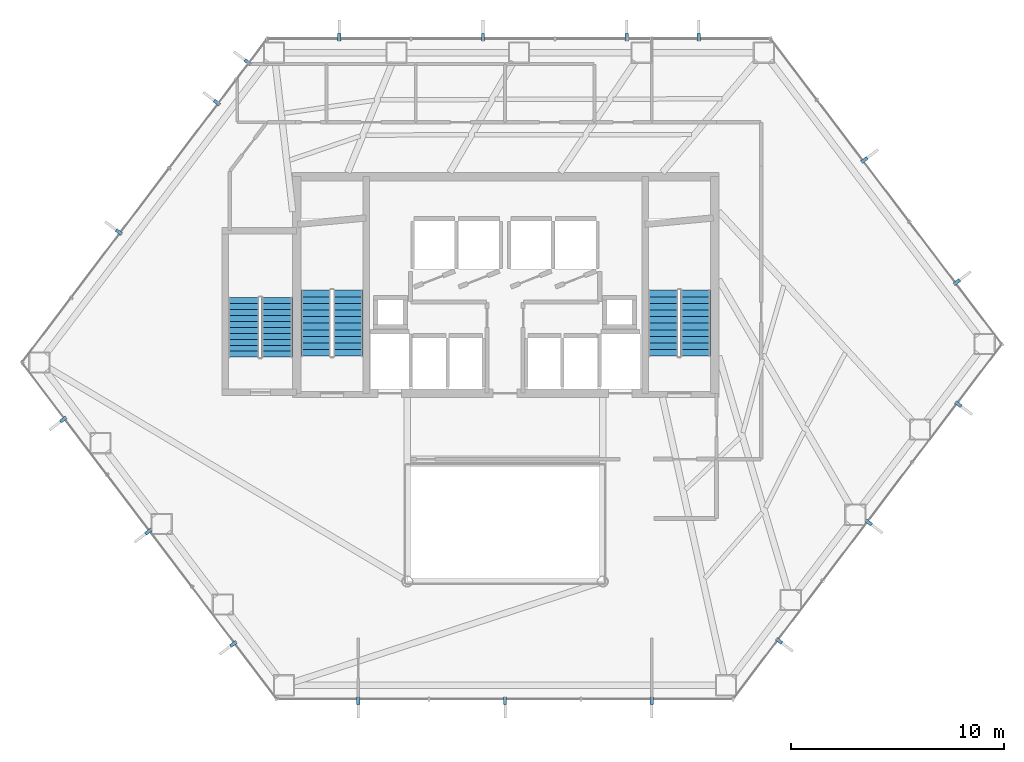
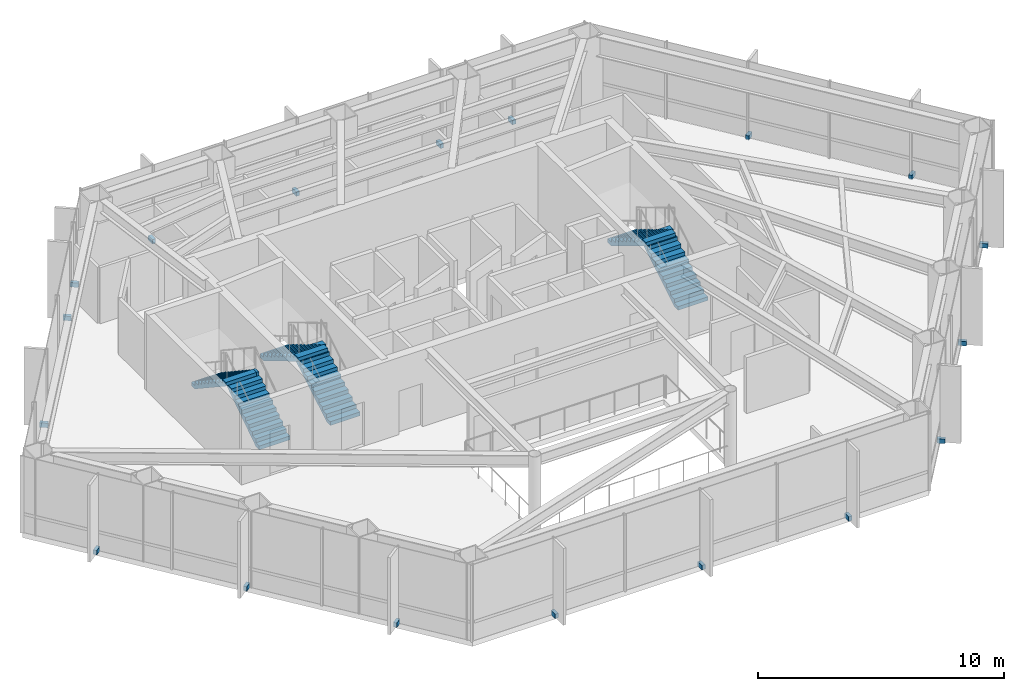
# One storey, part 24 of 25: 18 discrete accessories, 6 stair flights, 3 elements without a shape of their own.
"""IFC4 building model written with IfcOpenShell, lengths in metres."""

from ifc_helpers import new_model, si_unit, direction, frame, origin, origin_2d, place, context, subcontext, project, spatial, polyline, rectangle, outline, extrude, material, type_object, element, aggregate, save


model = new_model("IFC4")

# Units and contexts
model_context = context("Model", 3, precision=1e-05, world=origin(), true_north=direction((0.0, 1.0)))
body_context = subcontext(model_context, "Body", "Model", "MODEL_VIEW")
ifc_project = project(units=[si_unit("LENGTHUNIT", "METRE"), si_unit("AREAUNIT", "SQUARE_METRE"), si_unit("VOLUMEUNIT", "CUBIC_METRE"), si_unit("PLANEANGLEUNIT", "RADIAN"), si_unit("MASSUNIT", "GRAM", prefix="KILO")], contexts=[model_context])

# Site, building, storey
site_placement = place(None, origin())
site = spatial("IfcSite", under=ifc_project, at=site_placement, CompositionType="ELEMENT")
building_placement = place(site_placement, origin())
building = spatial("IfcBuilding", under=site, at=building_placement, Name="Zarrinselat Tower", CompositionType="ELEMENT")
storey_placement = place(building_placement, frame((0.0, 0.0, 56.10009765625)))
storey = spatial("IfcBuildingStorey", under=building, at=storey_placement, Name="L13", CompositionType="ELEMENT", Elevation=56.10009765625)

# Stair, stair flights
ifc_material_1 = material(Name="Concrete C40/50", Category="concrete")
stair_type_1 = type_object("IfcStairType", Name="STR-CORE-145", PredefinedType="HALF_TURN_STAIR", material=ifc_material_1)
stair_1_placement = place(storey_placement, origin())
stair_1 = element("IfcStair", 1, at=stair_1_placement, inside=storey, type_object=stair_type_1, Name="L13 Podium & Mid-Tower Exit Stair 3", PredefinedType="HALF_TURN_STAIR")
ifc_material_2 = material(Name="Concrete C40/50", Category="concrete")
stair_flight_type_1 = type_object("IfcStairFlightType", Name="STR-FLT-145", PredefinedType="STRAIGHT", material=ifc_material_2)
stair_flight_1_placement = place(storey_placement, frame((27.675048828125, 34.949951171875, 0.0), z_axis=(0.0, 0.0, 1.0), x_axis=(0.0, 1.0, 0.0)))
stair_flight_1 = element("IfcStairFlight", 2, at=stair_flight_1_placement, type_object=stair_flight_type_1, Name="ST-3 flight 1", NumberOfRisers=11, NumberOfTreads=10, PredefinedType="STRAIGHT", RiserHeight=0.185454545, TreadLength=0.28, context=body_context, shape_type="SweptSolid", body=[
    extrude(outline(polyline([(0.0, 0.0), (0.0, 0.185546875), (0.280029296875, 0.185546875), (0.280029296875, 0.370849609375), (0.56005859375, 0.370849609375), (0.56005859375, 0.556396484375), (0.840087890625, 0.556396484375), (0.840087890625, 0.74169921875), (1.1201171875, 0.74169921875), (1.1201171875, 0.92724609375), (1.39990234375, 0.92724609375), (1.39990234375, 1.11279296875), (1.679931640625, 1.11279296875), (1.679931640625, 1.298095703125), (1.9599609375, 1.298095703125), (1.9599609375, 1.483642578125), (2.239990234375, 1.483642578125), (2.239990234375, 1.669189453125), (2.52001953125, 1.669189453125), (2.52001953125, 1.8544921875), (2.800048828125, 1.8544921875), (2.800048828125, 2.0400390625), (2.800048828125, 1.6748046875), (0.271484375, 0.0), (0.0, 0.0)])), frame((0.0, 0.72509765625, 0.0), z_axis=(0.0, -1.0, 0.0), x_axis=(1.0, 0.0, 0.0)), (0.0, 0.0, 1.0), 1.449951171875),
])
stair_flight_2_placement = place(storey_placement, frame((26.10498046875, 37.75, 2.039794921875), z_axis=(0.0, 0.0, 1.0), x_axis=(0.0, -1.0, 0.0)))
stair_flight_2 = element("IfcStairFlight", 3, at=stair_flight_2_placement, type_object=stair_flight_type_1, Name="ST-3 flight 2", NumberOfRisers=11, NumberOfTreads=10, PredefinedType="STRAIGHT", RiserHeight=0.185454545, TreadLength=0.28, context=body_context, shape_type="SweptSolid", body=[
    extrude(outline(polyline([(0.0, 0.0), (0.0, 0.185546875), (0.280029296875, 0.185546875), (0.280029296875, 0.370849609375), (0.56005859375, 0.370849609375), (0.56005859375, 0.556396484375), (0.840087890625, 0.556396484375), (0.840087890625, 0.74169921875), (1.1201171875, 0.74169921875), (1.1201171875, 0.92724609375), (1.39990234375, 0.92724609375), (1.39990234375, 1.11279296875), (1.679931640625, 1.11279296875), (1.679931640625, 1.298095703125), (1.9599609375, 1.298095703125), (1.9599609375, 1.483642578125), (2.239990234375, 1.483642578125), (2.239990234375, 1.669189453125), (2.52001953125, 1.669189453125), (2.52001953125, 1.8544921875), (2.800048828125, 1.8544921875), (2.800048828125, 2.0400390625), (2.800048828125, 1.6748046875), (0.271484375, 0.0), (0.0, 0.0)])), frame((0.0, 0.72509765625, 0.0), z_axis=(0.0, -1.0, 0.0), x_axis=(1.0, 0.0, 0.0)), (0.0, 0.0, 1.0), 1.449951171875),
])
aggregate(stair_1, [stair_flight_1, stair_flight_2])

ifc_material_3 = material(Name="Concrete C40/50", Category="concrete")
stair_type_2 = type_object("IfcStairType", Name="STR-CORE-155", PredefinedType="HALF_TURN_STAIR", material=ifc_material_3)
stair_2_placement = place(storey_placement, origin())
stair_2 = element("IfcStair", 4, at=stair_2_placement, inside=storey, type_object=stair_type_2, Name="L13 Core Exit Stair 1", PredefinedType="HALF_TURN_STAIR")
ifc_material_4 = material(Name="Concrete C40/50", Category="concrete")
stair_flight_type_2 = type_object("IfcStairFlightType", Name="STR-FLT-155", PredefinedType="STRAIGHT", material=ifc_material_4)
stair_flight_3_placement = place(storey_placement, frame((31.02001953125, 35.0, 0.0), z_axis=(0.0, 0.0, 1.0), x_axis=(0.0, 1.0, 0.0)))
stair_flight_3 = element("IfcStairFlight", 5, at=stair_flight_3_placement, type_object=stair_flight_type_2, Name="ST-1 flight 1", NumberOfRisers=11, NumberOfTreads=10, PredefinedType="STRAIGHT", RiserHeight=0.185454545, TreadLength=0.31, context=body_context, shape_type="SweptSolid", body=[
    extrude(outline(polyline([(0.0, 0.0), (0.0, 0.185546875), (0.31005859375, 0.185546875), (0.31005859375, 0.370849609375), (0.6201171875, 0.370849609375), (0.6201171875, 0.556396484375), (0.929931640625, 0.556396484375), (0.929931640625, 0.74169921875), (1.239990234375, 0.74169921875), (1.239990234375, 0.92724609375), (1.550048828125, 0.92724609375), (1.550048828125, 1.11279296875), (1.860107421875, 1.11279296875), (1.860107421875, 1.298095703125), (2.169921875, 1.298095703125), (2.169921875, 1.483642578125), (2.47998046875, 1.483642578125), (2.47998046875, 1.669189453125), (2.7900390625, 1.669189453125), (2.7900390625, 1.8544921875), (3.10009765625, 1.8544921875), (3.10009765625, 2.0400390625), (3.10009765625, 1.679931640625), (0.2919921875, 0.0), (0.0, 0.0)])), frame((0.0, 0.699951171875, 0.0), z_axis=(0.0, -1.0, 0.0), x_axis=(1.0, 0.0, 0.0)), (0.0, 0.0, 1.0), 1.39990234375),
])
stair_flight_4_placement = place(storey_placement, frame((29.5, 38.10009765625, 2.039794921875), z_axis=(0.0, 0.0, 1.0), x_axis=(0.0, -1.0, 0.0)))
stair_flight_4 = element("IfcStairFlight", 6, at=stair_flight_4_placement, type_object=stair_flight_type_2, Name="ST-1 flight 2", NumberOfRisers=11, NumberOfTreads=10, PredefinedType="STRAIGHT", RiserHeight=0.185454545, TreadLength=0.31, context=body_context, shape_type="SweptSolid", body=[
    extrude(outline(polyline([(0.0, 0.0), (0.0, 0.185546875), (0.31005859375, 0.185546875), (0.31005859375, 0.370849609375), (0.6201171875, 0.370849609375), (0.6201171875, 0.556396484375), (0.929931640625, 0.556396484375), (0.929931640625, 0.74169921875), (1.239990234375, 0.74169921875), (1.239990234375, 0.92724609375), (1.550048828125, 0.92724609375), (1.550048828125, 1.11279296875), (1.860107421875, 1.11279296875), (1.860107421875, 1.298095703125), (2.169921875, 1.298095703125), (2.169921875, 1.483642578125), (2.47998046875, 1.483642578125), (2.47998046875, 1.669189453125), (2.7900390625, 1.669189453125), (2.7900390625, 1.8544921875), (3.10009765625, 1.8544921875), (3.10009765625, 2.0400390625), (3.10009765625, 1.679931640625), (0.2919921875, 0.0), (0.0, 0.0)])), frame((0.0, 0.699951171875, 0.0), z_axis=(0.0, -1.0, 0.0), x_axis=(1.0, 0.0, 0.0)), (0.0, 0.0, 1.0), 1.39990234375),
])
aggregate(stair_2, [stair_flight_3, stair_flight_4])

stair_3_placement = place(storey_placement, origin())
stair_3 = element("IfcStair", 7, at=stair_3_placement, inside=storey, type_object=stair_type_2, Name="L13 Core Exit Stair 2", PredefinedType="HALF_TURN_STAIR")
stair_flight_5_placement = place(storey_placement, frame((47.360107421875, 35.0, 0.0), z_axis=(0.0, 0.0, 1.0), x_axis=(0.0, 1.0, 0.0)))
stair_flight_5 = element("IfcStairFlight", 8, at=stair_flight_5_placement, type_object=stair_flight_type_2, Name="ST-2 flight 1", NumberOfRisers=11, NumberOfTreads=10, PredefinedType="STRAIGHT", RiserHeight=0.185454545, TreadLength=0.31, context=body_context, shape_type="SweptSolid", body=[
    extrude(outline(polyline([(0.0, 0.0), (0.0, 0.185546875), (0.31005859375, 0.185546875), (0.31005859375, 0.370849609375), (0.6201171875, 0.370849609375), (0.6201171875, 0.556396484375), (0.929931640625, 0.556396484375), (0.929931640625, 0.74169921875), (1.239990234375, 0.74169921875), (1.239990234375, 0.92724609375), (1.550048828125, 0.92724609375), (1.550048828125, 1.11279296875), (1.860107421875, 1.11279296875), (1.860107421875, 1.298095703125), (2.169921875, 1.298095703125), (2.169921875, 1.483642578125), (2.47998046875, 1.483642578125), (2.47998046875, 1.669189453125), (2.7900390625, 1.669189453125), (2.7900390625, 1.8544921875), (3.10009765625, 1.8544921875), (3.10009765625, 2.0400390625), (3.10009765625, 1.679931640625), (0.2919921875, 0.0), (0.0, 0.0)])), frame((0.0, 0.699951171875, 0.0), z_axis=(0.0, -1.0, 0.0), x_axis=(1.0, 0.0, 0.0)), (0.0, 0.0, 1.0), 1.39990234375),
])
stair_flight_6_placement = place(storey_placement, frame((45.840087890625, 38.10009765625, 2.039794921875), z_axis=(0.0, 0.0, 1.0), x_axis=(0.0, -1.0, 0.0)))
stair_flight_6 = element("IfcStairFlight", 9, at=stair_flight_6_placement, type_object=stair_flight_type_2, Name="ST-2 flight 2", NumberOfRisers=11, NumberOfTreads=10, PredefinedType="STRAIGHT", RiserHeight=0.185454545, TreadLength=0.31, context=body_context, shape_type="SweptSolid", body=[
    extrude(outline(polyline([(0.0, 0.0), (0.0, 0.185546875), (0.31005859375, 0.185546875), (0.31005859375, 0.370849609375), (0.6201171875, 0.370849609375), (0.6201171875, 0.556396484375), (0.929931640625, 0.556396484375), (0.929931640625, 0.74169921875), (1.239990234375, 0.74169921875), (1.239990234375, 0.92724609375), (1.550048828125, 0.92724609375), (1.550048828125, 1.11279296875), (1.860107421875, 1.11279296875), (1.860107421875, 1.298095703125), (2.169921875, 1.298095703125), (2.169921875, 1.483642578125), (2.47998046875, 1.483642578125), (2.47998046875, 1.669189453125), (2.7900390625, 1.669189453125), (2.7900390625, 1.8544921875), (3.10009765625, 1.8544921875), (3.10009765625, 2.0400390625), (3.10009765625, 1.679931640625), (0.2919921875, 0.0), (0.0, 0.0)])), frame((0.0, 0.699951171875, 0.0), z_axis=(0.0, -1.0, 0.0), x_axis=(1.0, 0.0, 0.0)), (0.0, 0.0, 1.0), 1.39990234375),
])
aggregate(stair_3, [stair_flight_5, stair_flight_6])

# Discrete accessories
ifc_material_5 = material(Name="Steel S355J2", Category="steel")
discrete_accessory_type = type_object("IfcDiscreteAccessoryType", Name="ACC-FIN-BRACKET", PredefinedType="BRACKET", material=ifc_material_5)
for number, where, z_axis, x_axis, name in (
    (10, (47.513427734375, 49.997802734375, -0.05029296875), (0.0, 0.0, 1.0), (0.0, 1.0, 0.0), "L13 Fin Fixing Bracket CW-L13-E01-01"),
    (11, (44.1298828125, 49.997802734375, -0.05029296875), (0.0, 0.0, 1.0), (0.0, 1.0, 0.0), "L13 Fin Fixing Bracket CW-L13-E01-03"),
    (12, (37.362548828125, 49.997802734375, -0.05029296875), (0.0, 0.0, 1.0), (0.0, 1.0, 0.0), "L13 Fin Fixing Bracket CW-L13-E01-05"),
    (13, (30.59521484375, 49.997802734375, -0.05029296875), (0.0, 0.0, 1.0), (0.0, 1.0, 0.0), "L13 Fin Fixing Bracket CW-L13-E01-07"),
    (14, (26.291015625, 48.82861328125, -0.05029296875), (0.0, 0.0, 1.0), (-0.797090773679, 0.603859502298, 0.0), "L13 Fin Fixing Bracket CW-L13-E02-01"),
    (15, (24.848876953125, 46.925048828125, -0.05029296875), (0.0, 0.0, 1.0), (-0.797090773679, 0.603859502298, 0.0), "L13 Fin Fixing Bracket CW-L13-E02-03"),
    (16, (20.23486328125, 40.834716796875, -0.05029296875), (0.0, 0.0, 1.0), (-0.797090773679, 0.603859502298, 0.0), "L13 Fin Fixing Bracket CW-L13-E02-05"),
    (17, (17.62109375, 32.019775390625, -0.05029296875), (0.0, 0.0, 1.0), (-0.797089212337, -0.603861563254, 0.0), "L13 Fin Fixing Bracket CW-L13-E03-01"),
    (18, (21.621337890625, 26.739501953125, -0.05029296875), (0.0, 0.0, 1.0), (-0.797089212337, -0.603861563254, 0.0), "L13 Fin Fixing Bracket CW-L13-E03-03"),
    (19, (25.62158203125, 21.45947265625, -0.05029296875), (0.0, 0.0, 1.0), (-0.797089212337, -0.603861563254, 0.0), "L13 Fin Fixing Bracket CW-L13-E03-05"),
    (20, (31.5, 18.791748046875, -0.05029296875), (0.0, 0.0, 1.0), (0.0, -1.0, 0.0), "L13 Fin Fixing Bracket CW-L13-E04-01"),
    (21, (38.39990234375, 18.791748046875, -0.05029296875), (0.0, 0.0, 1.0), (0.0, -1.0, 0.0), "L13 Fin Fixing Bracket CW-L13-E04-03"),
    (22, (45.300048828125, 18.791748046875, -0.05029296875), (0.0, 0.0, 1.0), (0.0, -1.0, 0.0), "L13 Fin Fixing Bracket CW-L13-E04-05"),
    (23, (51.28759765625, 21.603515625, -0.05029296875), (0.0, 0.0, 1.0), (0.797089781737, -0.603860811653, 0.0), "L13 Fin Fixing Bracket CW-L13-E05-01"),
    (24, (55.505859375, 27.17138671875, -0.05029296875), (0.0, 0.0, 1.0), (0.797089781737, -0.603860811653, 0.0), "L13 Fin Fixing Bracket CW-L13-E05-03"),
    (25, (59.72412109375, 32.739501953125, -0.05029296875), (0.0, 0.0, 1.0), (0.797089781737, -0.603860811653, 0.0), "L13 Fin Fixing Bracket CW-L13-E05-05"),
    (26, (59.6572265625, 38.480712890625, -0.05029296875), (0.0, 0.0, 1.0), (0.797092876715, 0.603856726294, 0.0), "L13 Fin Fixing Bracket CW-L13-E06-01"),
    (27, (55.30517578125, 44.225341796875, -0.05029296875), (0.0, 0.0, 1.0), (0.797092876715, 0.603856726294, 0.0), "L13 Fin Fixing Bracket CW-L13-E06-03"),
):
    element("IfcDiscreteAccessory", number, at=place(storey_placement, frame(where, z_axis=z_axis, x_axis=x_axis)), inside=storey, type_object=discrete_accessory_type, Name=name, PredefinedType="BRACKET", context=body_context, shape_type="SweptSolid", body=[
        extrude(rectangle(XDim=0.340087890625, YDim=0.159912109375, at=origin_2d()), origin(), (0.0, 0.0, 1.0), 0.219970703125),
    ])

save(model, "model.ifc")
